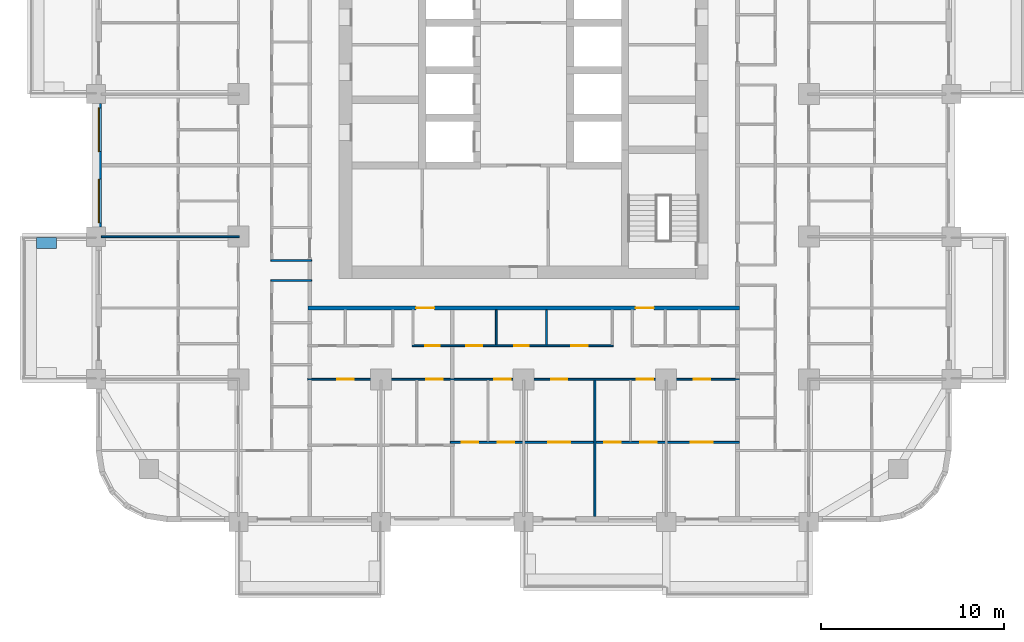
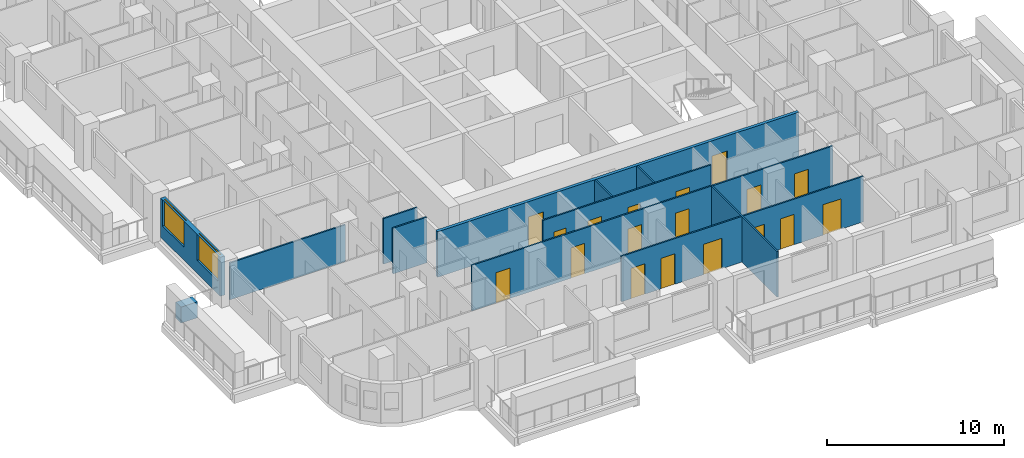
# One storey, part 4 of 18: 18 doors, 12 walls, 2 windows, 20 openings.
"""IFC4 building model written with IfcOpenShell, lengths in metres."""

from ifc_helpers import new_model, si_unit, direction, frame, frame_2d, origin, place, context, subcontext, project, spatial, rectangle, extrude, material, layer, layer_set, type_object, element, fill, save


model = new_model("IFC4")

# Units and contexts
model_context = context("Model", 3, precision=1e-05, world=origin(), true_north=direction((0.0, 1.0)))
body_context = subcontext(model_context, "Body", "Model", "MODEL_VIEW")
ifc_project = project(units=[si_unit("LENGTHUNIT", "METRE"), si_unit("AREAUNIT", "SQUARE_METRE"), si_unit("VOLUMEUNIT", "CUBIC_METRE"), si_unit("PLANEANGLEUNIT", "RADIAN"), si_unit("MASSUNIT", "GRAM", prefix="KILO")], contexts=[model_context])

# Site, building, storey
site_placement = place(None, origin())
site = spatial("IfcSite", under=ifc_project, at=site_placement, CompositionType="ELEMENT")
building_placement = place(site_placement, origin())
building = spatial("IfcBuilding", under=site, at=building_placement, Name="Ludao Terraces", CompositionType="ELEMENT")
storey_placement = place(building_placement, frame((0.0, 0.0, 33.10009765625)))
storey = spatial("IfcBuildingStorey", under=building, at=storey_placement, Name="L08", CompositionType="ELEMENT", Elevation=33.10009765625)

# Wall
ifc_material_1 = material(Name="Concrete C40", Category="concrete")
ifc_layer_1 = layer(ifc_material_1, 0.60009765625)
ifc_layer_set_1 = layer_set([ifc_layer_1], Name="ENV Planter trough 600")
wall_type_1 = type_object("IfcWallType", Name="ENV Planter trough 600", PredefinedType="USERDEFINED", material=ifc_layer_set_1)
wall_1_placement = place(storey_placement, frame((58.35009765625, 56.85009765625, 0.0), z_axis=(0.0, 0.0, 1.0), x_axis=(1.0, 0.0, 0.0)))
element("IfcWall", 1, at=wall_1_placement, inside=storey, type_object=wall_type_1, Name="PL-L08-W1-SB", ObjectType="PLANTER", PredefinedType="USERDEFINED", context=body_context, shape_type="SweptSolid", body=[
    extrude(rectangle(XDim=1.099853515625, YDim=0.60009765625, at=frame_2d((0.5498046875, 0.0))), origin(), (0.0, 0.0, 1.0), 1.099853515625),
])

# Wall, openings, windows
ifc_material_2 = material(Name="Granite cladding", Category="masonry")
ifc_layer_2 = layer(ifc_material_2, 0.0400390625, Category="stone")
ifc_material_3 = material(Name="Mineral wool")
ifc_layer_3 = layer(ifc_material_3, 0.06005859375)
ifc_layer_4 = layer(ifc_material_1, 0.199951171875, Category="concrete")
ifc_layer_set_2 = layer_set([ifc_layer_2, ifc_layer_3, ifc_layer_4], Name="ENV Stone-clad wall 300")
wall_type_2 = type_object("IfcWallType", Name="ENV Stone-clad wall 300", PredefinedType="SOLIDWALL", material=ifc_layer_set_2)
wall_2_placement = place(storey_placement, frame((61.75, 57.72509765625, 0.0), z_axis=(0.0, 0.0, 1.0), x_axis=(0.0, 1.0, 0.0)))
wall_2 = element("IfcWall", 2, at=wall_2_placement, inside=storey, type_object=wall_type_2, Name="EW-L08-W3", PredefinedType="SOLIDWALL", context=body_context, shape_type="SweptSolid", body=[
    extrude(rectangle(XDim=6.75, YDim=0.300048828125, at=frame_2d((3.375, 0.0))), origin(), (0.0, 0.0, 1.0), 2.699951171875),
])
opening_1_placement = place(wall_2_placement, frame((0.22509765625, 0.0, 0.89990234375)))
opening_1 = element("IfcOpeningElement", 3, at=opening_1_placement, cuts=wall_2, Name="Opening W1", PredefinedType="OPENING", context=body_context, shape_type="SweptSolid", body=[
    extrude(rectangle(XDim=2.39990234375, YDim=1.800048828125, at=frame_2d((1.199951171875, 0.89990234375))), frame((0.0, 0.16015625, 0.0), z_axis=(0.0, -1.0, 0.0), x_axis=(1.0, 0.0, 0.0)), (0.0, 0.0, 1.0), 0.320068359375),
])
opening_2_placement = place(wall_2_placement, frame((4.125, 0.0, 0.89990234375)))
opening_2 = element("IfcOpeningElement", 4, at=opening_2_placement, cuts=wall_2, Name="Opening W1", PredefinedType="OPENING", context=body_context, shape_type="SweptSolid", body=[
    extrude(rectangle(XDim=2.39990234375, YDim=1.800048828125, at=frame_2d((1.199951171875, 0.89990234375))), frame((0.0, 0.16015625, 0.0), z_axis=(0.0, -1.0, 0.0), x_axis=(1.0, 0.0, 0.0)), (0.0, 0.0, 1.0), 0.320068359375),
])
ifc_material_4 = material(Name="Clear glass in aluminium frame", Category="aluminium")
ifc_layer_5 = layer(ifc_material_4, 0.06005859375)
ifc_layer_set_3 = layer_set([ifc_layer_5], Name="ENV Window W1 2400x1800")
window_type = type_object("IfcWindowType", Name="ENV Window W1 2400x1800", PartitioningType="DOUBLE_PANEL_VERTICAL", PredefinedType="WINDOW", material=ifc_layer_set_3)
window_1_placement = place(opening_1_placement, origin())
window_1 = element("IfcWindow", 5, at=window_1_placement, inside=storey, type_object=window_type, Name="W-L08-W3-1", OverallHeight=1.800048828125, OverallWidth=2.39990234375, PartitioningType="DOUBLE_PANEL_VERTICAL", PredefinedType="WINDOW", context=body_context, shape_type="SweptSolid", body=[
    extrude(rectangle(XDim=2.39990234375, YDim=1.800048828125, at=frame_2d((1.199951171875, 0.89990234375))), frame((0.0, 0.030029296875, 0.0), z_axis=(0.0, -1.0, 0.0), x_axis=(1.0, 0.0, 0.0)), (0.0, 0.0, 1.0), 0.06005859375),
])
fill(opening_1, window_1)
window_2_placement = place(opening_2_placement, origin())
window_2 = element("IfcWindow", 6, at=window_2_placement, inside=storey, type_object=window_type, Name="W-L08-W3-2", OverallHeight=1.800048828125, OverallWidth=2.39990234375, PartitioningType="DOUBLE_PANEL_VERTICAL", PredefinedType="WINDOW", context=body_context, shape_type="SweptSolid", body=[
    extrude(rectangle(XDim=2.39990234375, YDim=1.800048828125, at=frame_2d((1.199951171875, 0.89990234375))), frame((0.0, 0.030029296875, 0.0), z_axis=(0.0, -1.0, 0.0), x_axis=(1.0, 0.0, 0.0)), (0.0, 0.0, 1.0), 0.06005859375),
])
fill(opening_2, window_2)

# Wall, openings, doors
ifc_material_5 = material(Name="Autoclaved aerated concrete block B06 A3.5", Category="concrete")
ifc_layer_6 = layer(ifc_material_5, 0.199951171875)
ifc_layer_set_4 = layer_set([ifc_layer_6], Name="INT Entrance wall 200")
wall_type_3 = type_object("IfcWallType", Name="INT Entrance wall 200", PredefinedType="PARTITIONING", material=ifc_layer_set_4)
wall_3_placement = place(storey_placement, frame((73.2001953125, 53.300048828125, 0.0), z_axis=(0.0, 0.0, 1.0), x_axis=(1.0, 0.0, 0.0)))
wall_3 = element("IfcWall", 7, at=wall_3_placement, inside=storey, type_object=wall_type_3, Name="PW-L08-PW019", PredefinedType="PARTITIONING", context=body_context, shape_type="SweptSolid", body=[
    extrude(rectangle(XDim=23.599853515625, YDim=0.199951171875, at=frame_2d((11.7998046875, 0.0))), origin(), (0.0, 0.0, 1.0), 3.14990234375),
])
opening_3_placement = place(wall_3_placement, frame((5.9248046875, 0.0, 0.0)))
opening_3 = element("IfcOpeningElement", 8, at=opening_3_placement, cuts=wall_3, Name="Opening R02-047", PredefinedType="OPENING", context=body_context, shape_type="SweptSolid", body=[
    extrude(rectangle(XDim=1.0, YDim=2.10009765625, at=frame_2d((0.5, 1.050048828125))), frame((0.0, 0.10986328125, 0.0), z_axis=(0.0, -1.0, 0.0), x_axis=(1.0, 0.0, 0.0)), (0.0, 0.0, 1.0), 0.219970703125),
])
opening_4_placement = place(wall_3_placement, frame((17.9248046875, 0.0, 0.0)))
opening_4 = element("IfcOpeningElement", 9, at=opening_4_placement, cuts=wall_3, Name="Opening R02-048", PredefinedType="OPENING", context=body_context, shape_type="SweptSolid", body=[
    extrude(rectangle(XDim=1.0, YDim=2.10009765625, at=frame_2d((0.5, 1.050048828125))), frame((0.0, 0.10986328125, 0.0), z_axis=(0.0, -1.0, 0.0), x_axis=(1.0, 0.0, 0.0)), (0.0, 0.0, 1.0), 0.219970703125),
])
ifc_material_6 = material(Name="Steel Q235", Category="steel")
door_type_1 = type_object("IfcDoorType", Name="INT Flat entrance door 1000", OperationType="SINGLE_SWING_LEFT", PredefinedType="DOOR", material=ifc_material_6)
door_1_placement = place(opening_3_placement, origin())
door_1 = element("IfcDoor", 10, at=door_1_placement, inside=storey, type_object=door_type_1, Name="DOOR 047", OperationType="SINGLE_SWING_LEFT", OverallHeight=2.10009765625, OverallWidth=1.0, PredefinedType="DOOR", context=body_context, shape_type="SweptSolid", body=[
    extrude(rectangle(XDim=1.0, YDim=2.10009765625, at=frame_2d((0.5, 1.050048828125))), frame((0.0, 0.02490234375, 0.0), z_axis=(0.0, -1.0, 0.0), x_axis=(1.0, 0.0, 0.0)), (0.0, 0.0, 1.0), 0.050048828125),
])
fill(opening_3, door_1)
door_2_placement = place(opening_4_placement, origin())
door_2 = element("IfcDoor", 11, at=door_2_placement, inside=storey, type_object=door_type_1, Name="DOOR 048", OperationType="SINGLE_SWING_LEFT", OverallHeight=2.10009765625, OverallWidth=1.0, PredefinedType="DOOR", context=body_context, shape_type="SweptSolid", body=[
    extrude(rectangle(XDim=1.0, YDim=2.10009765625, at=frame_2d((0.5, 1.050048828125))), frame((0.0, 0.02490234375, 0.0), z_axis=(0.0, -1.0, 0.0), x_axis=(1.0, 0.0, 0.0)), (0.0, 0.0, 1.0), 0.050048828125),
])
fill(opening_4, door_2)

ifc_material_7 = material(Name="Gypsum plasterboard", Category="gypsum")
ifc_layer_7 = layer(ifc_material_7, 0.012451171875, Category="gypsum")
ifc_layer_8 = layer(ifc_material_3, 0.06005859375, Name="insulation")
ifc_layer_9 = layer(ifc_material_6, 0.014892578125, Name="stud")
ifc_layer_10 = layer(ifc_material_7, 0.012451171875, Category="gypsum")
ifc_layer_set_5 = layer_set([ifc_layer_7, ifc_layer_8, ifc_layer_9, ifc_layer_10], Name="INT Partition 100")
wall_type_4 = type_object("IfcWallType", Name="INT Partition 100", PredefinedType="PARTITIONING", material=ifc_layer_set_5)
wall_4_placement = place(storey_placement, frame((81.0, 45.949951171875, 0.0), z_axis=(0.0, 0.0, 1.0), x_axis=(1.0, 0.0, 0.0)))
wall_4 = element("IfcWall", 12, at=wall_4_placement, inside=storey, type_object=wall_type_4, Name="PW-L08-PW003", PredefinedType="PARTITIONING", context=body_context, shape_type="SweptSolid", body=[
    extrude(rectangle(XDim=15.800048828125, YDim=0.10009765625, at=frame_2d((7.89990234375, 0.0))), origin(), (0.0, 0.0, 1.0), 3.14990234375),
])
opening_5_placement = place(wall_4_placement, frame((0.625, 0.0, 0.0)))
opening_5 = element("IfcOpeningElement", 13, at=opening_5_placement, cuts=wall_4, Name="Opening R02-010", PredefinedType="OPENING", context=body_context, shape_type="SweptSolid", body=[
    extrude(rectangle(XDim=0.89990234375, YDim=2.10009765625, at=frame_2d((0.449951171875, 1.050048828125))), frame((0.0, 0.06005859375, 0.0), z_axis=(0.0, -1.0, 0.0), x_axis=(1.0, 0.0, 0.0)), (0.0, 0.0, 1.0), 0.1201171875),
])
opening_6_placement = place(wall_4_placement, frame((2.5751953125, 0.0, 0.0)))
opening_6 = element("IfcOpeningElement", 14, at=opening_6_placement, cuts=wall_4, Name="Opening R02-011", PredefinedType="OPENING", context=body_context, shape_type="SweptSolid", body=[
    extrude(rectangle(XDim=0.89990234375, YDim=2.10009765625, at=frame_2d((0.449951171875, 1.050048828125))), frame((0.0, 0.06005859375, 0.0), z_axis=(0.0, -1.0, 0.0), x_axis=(1.0, 0.0, 0.0)), (0.0, 0.0, 1.0), 0.1201171875),
])
opening_7_placement = place(wall_4_placement, frame((5.35009765625, 0.0, 0.0)))
opening_7 = element("IfcOpeningElement", 15, at=opening_7_placement, cuts=wall_4, Name="Opening R02-012", PredefinedType="OPENING", context=body_context, shape_type="SweptSolid", body=[
    extrude(rectangle(XDim=1.199951171875, YDim=2.10009765625, at=frame_2d((0.60009765625, 1.050048828125))), frame((0.0, 0.06005859375, 0.0), z_axis=(0.0, -1.0, 0.0), x_axis=(1.0, 0.0, 0.0)), (0.0, 0.0, 1.0), 0.1201171875),
])
opening_8_placement = place(wall_4_placement, frame((8.425048828125, 0.0, 0.0)))
opening_8 = element("IfcOpeningElement", 16, at=opening_8_placement, cuts=wall_4, Name="Opening R02-013", PredefinedType="OPENING", context=body_context, shape_type="SweptSolid", body=[
    extrude(rectangle(XDim=0.89990234375, YDim=2.10009765625, at=frame_2d((0.449951171875, 1.050048828125))), frame((0.0, 0.06005859375, 0.0), z_axis=(0.0, -1.0, 0.0), x_axis=(1.0, 0.0, 0.0)), (0.0, 0.0, 1.0), 0.1201171875),
])
opening_9_placement = place(wall_4_placement, frame((10.375, 0.0, 0.0)))
opening_9 = element("IfcOpeningElement", 17, at=opening_9_placement, cuts=wall_4, Name="Opening R02-014", PredefinedType="OPENING", context=body_context, shape_type="SweptSolid", body=[
    extrude(rectangle(XDim=0.89990234375, YDim=2.10009765625, at=frame_2d((0.449951171875, 1.050048828125))), frame((0.0, 0.06005859375, 0.0), z_axis=(0.0, -1.0, 0.0), x_axis=(1.0, 0.0, 0.0)), (0.0, 0.0, 1.0), 0.1201171875),
])
opening_10_placement = place(wall_4_placement, frame((13.150146484375, 0.0, 0.0)))
opening_10 = element("IfcOpeningElement", 18, at=opening_10_placement, cuts=wall_4, Name="Opening R02-015", PredefinedType="OPENING", context=body_context, shape_type="SweptSolid", body=[
    extrude(rectangle(XDim=1.199951171875, YDim=2.10009765625, at=frame_2d((0.60009765625, 1.050048828125))), frame((0.0, 0.06005859375, 0.0), z_axis=(0.0, -1.0, 0.0), x_axis=(1.0, 0.0, 0.0)), (0.0, 0.0, 1.0), 0.1201171875),
])
ifc_material_8 = material(Name="Timber door leaf", Category="wood")
door_type_2 = type_object("IfcDoorType", Name="INT Bathroom door 900", OperationType="SINGLE_SWING_LEFT", PredefinedType="DOOR", material=ifc_material_8)
door_3_placement = place(opening_5_placement, origin())
door_3 = element("IfcDoor", 19, at=door_3_placement, inside=storey, type_object=door_type_2, Name="DOOR 010", OperationType="SINGLE_SWING_LEFT", OverallHeight=2.10009765625, OverallWidth=0.89990234375, PredefinedType="DOOR", context=body_context, shape_type="SweptSolid", body=[
    extrude(rectangle(XDim=0.89990234375, YDim=2.10009765625, at=frame_2d((0.449951171875, 1.050048828125))), frame((0.0, 0.02490234375, 0.0), z_axis=(0.0, -1.0, 0.0), x_axis=(1.0, 0.0, 0.0)), (0.0, 0.0, 1.0), 0.050048828125),
])
fill(opening_5, door_3)
door_4_placement = place(opening_8_placement, origin())
door_4 = element("IfcDoor", 20, at=door_4_placement, inside=storey, type_object=door_type_2, Name="DOOR 013", OperationType="SINGLE_SWING_LEFT", OverallHeight=2.10009765625, OverallWidth=0.89990234375, PredefinedType="DOOR", context=body_context, shape_type="SweptSolid", body=[
    extrude(rectangle(XDim=0.89990234375, YDim=2.10009765625, at=frame_2d((0.449951171875, 1.050048828125))), frame((0.0, 0.02490234375, 0.0), z_axis=(0.0, -1.0, 0.0), x_axis=(1.0, 0.0, 0.0)), (0.0, 0.0, 1.0), 0.050048828125),
])
fill(opening_8, door_4)
door_type_3 = type_object("IfcDoorType", Name="INT Double door 1200", OperationType="DOUBLE_DOOR_SINGLE_SWING", PredefinedType="DOOR", material=ifc_material_8)
door_5_placement = place(opening_7_placement, origin())
door_5 = element("IfcDoor", 21, at=door_5_placement, inside=storey, type_object=door_type_3, Name="DOOR 012", OperationType="DOUBLE_DOOR_SINGLE_SWING", OverallHeight=2.10009765625, OverallWidth=1.199951171875, PredefinedType="DOOR", context=body_context, shape_type="SweptSolid", body=[
    extrude(rectangle(XDim=1.199951171875, YDim=2.10009765625, at=frame_2d((0.60009765625, 1.050048828125))), frame((0.0, 0.02490234375, 0.0), z_axis=(0.0, -1.0, 0.0), x_axis=(1.0, 0.0, 0.0)), (0.0, 0.0, 1.0), 0.050048828125),
])
fill(opening_7, door_5)
door_6_placement = place(opening_10_placement, origin())
door_6 = element("IfcDoor", 22, at=door_6_placement, inside=storey, type_object=door_type_3, Name="DOOR 015", OperationType="DOUBLE_DOOR_SINGLE_SWING", OverallHeight=2.10009765625, OverallWidth=1.199951171875, PredefinedType="DOOR", context=body_context, shape_type="SweptSolid", body=[
    extrude(rectangle(XDim=1.199951171875, YDim=2.10009765625, at=frame_2d((0.60009765625, 1.050048828125))), frame((0.0, 0.02490234375, 0.0), z_axis=(0.0, -1.0, 0.0), x_axis=(1.0, 0.0, 0.0)), (0.0, 0.0, 1.0), 0.050048828125),
])
fill(opening_10, door_6)
door_type_4 = type_object("IfcDoorType", Name="INT Room door 900", OperationType="SINGLE_SWING_LEFT", PredefinedType="DOOR", material=ifc_material_8)
door_7_placement = place(opening_6_placement, origin())
door_7 = element("IfcDoor", 23, at=door_7_placement, inside=storey, type_object=door_type_4, Name="DOOR 011", OperationType="SINGLE_SWING_LEFT", OverallHeight=2.10009765625, OverallWidth=0.89990234375, PredefinedType="DOOR", context=body_context, shape_type="SweptSolid", body=[
    extrude(rectangle(XDim=0.89990234375, YDim=2.10009765625, at=frame_2d((0.449951171875, 1.050048828125))), frame((0.0, 0.02490234375, 0.0), z_axis=(0.0, -1.0, 0.0), x_axis=(1.0, 0.0, 0.0)), (0.0, 0.0, 1.0), 0.050048828125),
])
fill(opening_6, door_7)
door_8_placement = place(opening_9_placement, origin())
door_8 = element("IfcDoor", 24, at=door_8_placement, inside=storey, type_object=door_type_4, Name="DOOR 014", OperationType="SINGLE_SWING_RIGHT", OverallHeight=2.10009765625, OverallWidth=0.89990234375, PredefinedType="DOOR", context=body_context, shape_type="SweptSolid", body=[
    extrude(rectangle(XDim=0.89990234375, YDim=2.10009765625, at=frame_2d((0.449951171875, 1.050048828125))), frame((0.0, 0.02490234375, 0.0), z_axis=(0.0, -1.0, 0.0), x_axis=(1.0, 0.0, 0.0)), (0.0, 0.0, 1.0), 0.050048828125),
])
fill(opening_9, door_8)

wall_5_placement = place(storey_placement, frame((73.2001953125, 49.39990234375, 0.0), z_axis=(0.0, 0.0, 1.0), x_axis=(1.0, 0.0, 0.0)))
wall_5 = element("IfcWall", 25, at=wall_5_placement, inside=storey, type_object=wall_type_4, Name="PW-L08-PW007", PredefinedType="PARTITIONING", context=body_context, shape_type="SweptSolid", body=[
    extrude(rectangle(XDim=23.599853515625, YDim=0.10009765625, at=frame_2d((11.7998046875, 0.0))), origin(), (0.0, 0.0, 1.0), 3.14990234375),
])
opening_11_placement = place(wall_5_placement, frame((1.599853515625, 0.0, 0.0)))
opening_11 = element("IfcOpeningElement", 26, at=opening_11_placement, cuts=wall_5, Name="Opening R02-024", PredefinedType="OPENING", context=body_context, shape_type="SweptSolid", body=[
    extrude(rectangle(XDim=0.89990234375, YDim=2.10009765625, at=frame_2d((0.449951171875, 1.050048828125))), frame((0.0, 0.06005859375, 0.0), z_axis=(0.0, -1.0, 0.0), x_axis=(1.0, 0.0, 0.0)), (0.0, 0.0, 1.0), 0.1201171875),
])
opening_12_placement = place(wall_5_placement, frame((6.474853515625, 0.0, 0.0)))
opening_12 = element("IfcOpeningElement", 27, at=opening_12_placement, cuts=wall_5, Name="Opening R02-025", PredefinedType="OPENING", context=body_context, shape_type="SweptSolid", body=[
    extrude(rectangle(XDim=0.89990234375, YDim=2.10009765625, at=frame_2d((0.449951171875, 1.050048828125))), frame((0.0, 0.06005859375, 0.0), z_axis=(0.0, -1.0, 0.0), x_axis=(1.0, 0.0, 0.0)), (0.0, 0.0, 1.0), 0.1201171875),
])
opening_13_placement = place(wall_5_placement, frame((10.199951171875, 0.0, 0.0)))
opening_13 = element("IfcOpeningElement", 28, at=opening_13_placement, cuts=wall_5, Name="Opening R02-026", PredefinedType="OPENING", context=body_context, shape_type="SweptSolid", body=[
    extrude(rectangle(XDim=0.89990234375, YDim=2.10009765625, at=frame_2d((0.449951171875, 1.050048828125))), frame((0.0, 0.06005859375, 0.0), z_axis=(0.0, -1.0, 0.0), x_axis=(1.0, 0.0, 0.0)), (0.0, 0.0, 1.0), 0.1201171875),
])
opening_14_placement = place(wall_5_placement, frame((13.2998046875, 0.0, 0.0)))
opening_14 = element("IfcOpeningElement", 29, at=opening_14_placement, cuts=wall_5, Name="Opening R02-027", PredefinedType="OPENING", context=body_context, shape_type="SweptSolid", body=[
    extrude(rectangle(XDim=0.89990234375, YDim=2.10009765625, at=frame_2d((0.449951171875, 1.050048828125))), frame((0.0, 0.06005859375, 0.0), z_axis=(0.0, -1.0, 0.0), x_axis=(1.0, 0.0, 0.0)), (0.0, 0.0, 1.0), 0.1201171875),
])
opening_15_placement = place(wall_5_placement, frame((18.0, 0.0, 0.0)))
opening_15 = element("IfcOpeningElement", 30, at=opening_15_placement, cuts=wall_5, Name="Opening R02-028", PredefinedType="OPENING", context=body_context, shape_type="SweptSolid", body=[
    extrude(rectangle(XDim=0.89990234375, YDim=2.10009765625, at=frame_2d((0.449951171875, 1.050048828125))), frame((0.0, 0.06005859375, 0.0), z_axis=(0.0, -1.0, 0.0), x_axis=(1.0, 0.0, 0.0)), (0.0, 0.0, 1.0), 0.1201171875),
])
opening_16_placement = place(wall_5_placement, frame((21.099853515625, 0.0, 0.0)))
opening_16 = element("IfcOpeningElement", 31, at=opening_16_placement, cuts=wall_5, Name="Opening R02-029", PredefinedType="OPENING", context=body_context, shape_type="SweptSolid", body=[
    extrude(rectangle(XDim=0.89990234375, YDim=2.10009765625, at=frame_2d((0.449951171875, 1.050048828125))), frame((0.0, 0.06005859375, 0.0), z_axis=(0.0, -1.0, 0.0), x_axis=(1.0, 0.0, 0.0)), (0.0, 0.0, 1.0), 0.1201171875),
])
door_9_placement = place(opening_11_placement, origin())
door_9 = element("IfcDoor", 32, at=door_9_placement, inside=storey, type_object=door_type_4, Name="DOOR 024", OperationType="SINGLE_SWING_RIGHT", OverallHeight=2.10009765625, OverallWidth=0.89990234375, PredefinedType="DOOR", context=body_context, shape_type="SweptSolid", body=[
    extrude(rectangle(XDim=0.89990234375, YDim=2.10009765625, at=frame_2d((0.449951171875, 1.050048828125))), frame((0.0, 0.02490234375, 0.0), z_axis=(0.0, -1.0, 0.0), x_axis=(1.0, 0.0, 0.0)), (0.0, 0.0, 1.0), 0.050048828125),
])
fill(opening_11, door_9)
door_10_placement = place(opening_12_placement, origin())
door_10 = element("IfcDoor", 33, at=door_10_placement, inside=storey, type_object=door_type_4, Name="DOOR 025", OperationType="SINGLE_SWING_LEFT", OverallHeight=2.10009765625, OverallWidth=0.89990234375, PredefinedType="DOOR", context=body_context, shape_type="SweptSolid", body=[
    extrude(rectangle(XDim=0.89990234375, YDim=2.10009765625, at=frame_2d((0.449951171875, 1.050048828125))), frame((0.0, 0.02490234375, 0.0), z_axis=(0.0, -1.0, 0.0), x_axis=(1.0, 0.0, 0.0)), (0.0, 0.0, 1.0), 0.050048828125),
])
fill(opening_12, door_10)
door_11_placement = place(opening_13_placement, origin())
door_11 = element("IfcDoor", 34, at=door_11_placement, inside=storey, type_object=door_type_4, Name="DOOR 026", OperationType="SINGLE_SWING_RIGHT", OverallHeight=2.10009765625, OverallWidth=0.89990234375, PredefinedType="DOOR", context=body_context, shape_type="SweptSolid", body=[
    extrude(rectangle(XDim=0.89990234375, YDim=2.10009765625, at=frame_2d((0.449951171875, 1.050048828125))), frame((0.0, 0.02490234375, 0.0), z_axis=(0.0, -1.0, 0.0), x_axis=(1.0, 0.0, 0.0)), (0.0, 0.0, 1.0), 0.050048828125),
])
fill(opening_13, door_11)
door_12_placement = place(opening_14_placement, origin())
door_12 = element("IfcDoor", 35, at=door_12_placement, inside=storey, type_object=door_type_4, Name="DOOR 027", OperationType="SINGLE_SWING_LEFT", OverallHeight=2.10009765625, OverallWidth=0.89990234375, PredefinedType="DOOR", context=body_context, shape_type="SweptSolid", body=[
    extrude(rectangle(XDim=0.89990234375, YDim=2.10009765625, at=frame_2d((0.449951171875, 1.050048828125))), frame((0.0, 0.02490234375, 0.0), z_axis=(0.0, -1.0, 0.0), x_axis=(1.0, 0.0, 0.0)), (0.0, 0.0, 1.0), 0.050048828125),
])
fill(opening_14, door_12)
door_13_placement = place(opening_15_placement, origin())
door_13 = element("IfcDoor", 36, at=door_13_placement, inside=storey, type_object=door_type_4, Name="DOOR 028", OperationType="SINGLE_SWING_RIGHT", OverallHeight=2.10009765625, OverallWidth=0.89990234375, PredefinedType="DOOR", context=body_context, shape_type="SweptSolid", body=[
    extrude(rectangle(XDim=0.89990234375, YDim=2.10009765625, at=frame_2d((0.449951171875, 1.050048828125))), frame((0.0, 0.02490234375, 0.0), z_axis=(0.0, -1.0, 0.0), x_axis=(1.0, 0.0, 0.0)), (0.0, 0.0, 1.0), 0.050048828125),
])
fill(opening_15, door_13)
door_14_placement = place(opening_16_placement, origin())
door_14 = element("IfcDoor", 37, at=door_14_placement, inside=storey, type_object=door_type_4, Name="DOOR 029", OperationType="SINGLE_SWING_RIGHT", OverallHeight=2.10009765625, OverallWidth=0.89990234375, PredefinedType="DOOR", context=body_context, shape_type="SweptSolid", body=[
    extrude(rectangle(XDim=0.89990234375, YDim=2.10009765625, at=frame_2d((0.449951171875, 1.050048828125))), frame((0.0, 0.02490234375, 0.0), z_axis=(0.0, -1.0, 0.0), x_axis=(1.0, 0.0, 0.0)), (0.0, 0.0, 1.0), 0.050048828125),
])
fill(opening_16, door_14)

wall_6_placement = place(storey_placement, frame((78.900146484375, 51.22998046875, 0.0), z_axis=(0.0, 0.0, 1.0), x_axis=(1.0, 0.0, 0.0)))
wall_6 = element("IfcWall", 38, at=wall_6_placement, inside=storey, type_object=wall_type_4, Name="PW-L08-PW012", PredefinedType="PARTITIONING", context=body_context, shape_type="SweptSolid", body=[
    extrude(rectangle(XDim=11.0, YDim=0.10009765625, at=frame_2d((5.5, 0.0))), origin(), (0.0, 0.0, 1.0), 3.14990234375),
])
opening_17_placement = place(wall_6_placement, frame((0.72509765625, 0.0, 0.0)))
opening_17 = element("IfcOpeningElement", 39, at=opening_17_placement, cuts=wall_6, Name="Opening R02-035", PredefinedType="OPENING", context=body_context, shape_type="SweptSolid", body=[
    extrude(rectangle(XDim=0.800048828125, YDim=2.10009765625, at=frame_2d((0.39990234375, 1.050048828125))), frame((0.0, 0.06005859375, 0.0), z_axis=(0.0, -1.0, 0.0), x_axis=(1.0, 0.0, 0.0)), (0.0, 0.0, 1.0), 0.1201171875),
])
opening_18_placement = place(wall_6_placement, frame((2.949951171875, 0.0, 0.0)))
opening_18 = element("IfcOpeningElement", 40, at=opening_18_placement, cuts=wall_6, Name="Opening R02-036", PredefinedType="OPENING", context=body_context, shape_type="SweptSolid", body=[
    extrude(rectangle(XDim=0.89990234375, YDim=2.10009765625, at=frame_2d((0.449951171875, 1.050048828125))), frame((0.0, 0.06005859375, 0.0), z_axis=(0.0, -1.0, 0.0), x_axis=(1.0, 0.0, 0.0)), (0.0, 0.0, 1.0), 0.1201171875),
])
opening_19_placement = place(wall_6_placement, frame((5.574951171875, 0.0, 0.0)))
opening_19 = element("IfcOpeningElement", 41, at=opening_19_placement, cuts=wall_6, Name="Opening R02-037", PredefinedType="OPENING", context=body_context, shape_type="SweptSolid", body=[
    extrude(rectangle(XDim=0.800048828125, YDim=2.10009765625, at=frame_2d((0.39990234375, 1.050048828125))), frame((0.0, 0.06005859375, 0.0), z_axis=(0.0, -1.0, 0.0), x_axis=(1.0, 0.0, 0.0)), (0.0, 0.0, 1.0), 0.1201171875),
])
opening_20_placement = place(wall_6_placement, frame((8.699951171875, 0.0, 0.0)))
opening_20 = element("IfcOpeningElement", 42, at=opening_20_placement, cuts=wall_6, Name="Opening R02-038", PredefinedType="OPENING", context=body_context, shape_type="SweptSolid", body=[
    extrude(rectangle(XDim=0.89990234375, YDim=2.10009765625, at=frame_2d((0.449951171875, 1.050048828125))), frame((0.0, 0.06005859375, 0.0), z_axis=(0.0, -1.0, 0.0), x_axis=(1.0, 0.0, 0.0)), (0.0, 0.0, 1.0), 0.1201171875),
])
door_15_placement = place(opening_18_placement, origin())
door_15 = element("IfcDoor", 43, at=door_15_placement, inside=storey, type_object=door_type_2, Name="DOOR 036", OperationType="SINGLE_SWING_LEFT", OverallHeight=2.10009765625, OverallWidth=0.89990234375, PredefinedType="DOOR", context=body_context, shape_type="SweptSolid", body=[
    extrude(rectangle(XDim=0.89990234375, YDim=2.10009765625, at=frame_2d((0.449951171875, 1.050048828125))), frame((0.0, 0.02490234375, 0.0), z_axis=(0.0, -1.0, 0.0), x_axis=(1.0, 0.0, 0.0)), (0.0, 0.0, 1.0), 0.050048828125),
])
fill(opening_18, door_15)
door_16_placement = place(opening_20_placement, origin())
door_16 = element("IfcDoor", 44, at=door_16_placement, inside=storey, type_object=door_type_4, Name="DOOR 038", OperationType="SINGLE_SWING_RIGHT", OverallHeight=2.10009765625, OverallWidth=0.89990234375, PredefinedType="DOOR", context=body_context, shape_type="SweptSolid", body=[
    extrude(rectangle(XDim=0.89990234375, YDim=2.10009765625, at=frame_2d((0.449951171875, 1.050048828125))), frame((0.0, 0.02490234375, 0.0), z_axis=(0.0, -1.0, 0.0), x_axis=(1.0, 0.0, 0.0)), (0.0, 0.0, 1.0), 0.050048828125),
])
fill(opening_20, door_16)
door_type_5 = type_object("IfcDoorType", Name="INT Store door 800", OperationType="SINGLE_SWING_LEFT", PredefinedType="DOOR", material=ifc_material_8)
door_17_placement = place(opening_17_placement, origin())
door_17 = element("IfcDoor", 45, at=door_17_placement, inside=storey, type_object=door_type_5, Name="DOOR 035", OperationType="SINGLE_SWING_RIGHT", OverallHeight=2.10009765625, OverallWidth=0.800048828125, PredefinedType="DOOR", context=body_context, shape_type="SweptSolid", body=[
    extrude(rectangle(XDim=0.800048828125, YDim=2.10009765625, at=frame_2d((0.39990234375, 1.050048828125))), frame((0.0, 0.02490234375, 0.0), z_axis=(0.0, -1.0, 0.0), x_axis=(1.0, 0.0, 0.0)), (0.0, 0.0, 1.0), 0.050048828125),
])
fill(opening_17, door_17)
door_18_placement = place(opening_19_placement, origin())
door_18 = element("IfcDoor", 46, at=door_18_placement, inside=storey, type_object=door_type_5, Name="DOOR 037", OperationType="SINGLE_SWING_LEFT", OverallHeight=2.10009765625, OverallWidth=0.800048828125, PredefinedType="DOOR", context=body_context, shape_type="SweptSolid", body=[
    extrude(rectangle(XDim=0.800048828125, YDim=2.10009765625, at=frame_2d((0.39990234375, 1.050048828125))), frame((0.0, 0.02490234375, 0.0), z_axis=(0.0, -1.0, 0.0), x_axis=(1.0, 0.0, 0.0)), (0.0, 0.0, 1.0), 0.050048828125),
])
fill(opening_19, door_18)

# Walls
for number, where, z_axis, x_axis, name in (
    (47, (71.18017578125, 54.800048828125, 0.0), (0.0, 0.0, 1.0), (1.0, 0.0, 0.0), "PW-L08-PW022"),
    (48, (71.18017578125, 55.89990234375, 0.0), (0.0, 0.0, 1.0), (1.0, 0.0, 0.0), "PW-L08-PW024"),
):
    element("IfcWall", number, at=place(storey_placement, frame(where, z_axis=z_axis, x_axis=x_axis)), inside=storey, type_object=wall_type_4, Name=name, PredefinedType="PARTITIONING", context=body_context, shape_type="SweptSolid", body=[
        extrude(rectangle(XDim=2.219970703125, YDim=0.10009765625, at=frame_2d((1.10986328125, 0.0))), origin(), (0.0, 0.0, 1.0), 3.14990234375),
    ])
wall_7_placement = place(storey_placement, frame((61.900146484375, 57.199951171875, 0.0), z_axis=(0.0, 0.0, 1.0), x_axis=(1.0, 0.0, 0.0)))
element("IfcWall", 49, at=wall_7_placement, inside=storey, type_object=wall_type_4, Name="PW-L08-PW025", PredefinedType="PARTITIONING", context=body_context, shape_type="SweptSolid", body=[
    extrude(rectangle(XDim=7.550048828125, YDim=0.10009765625, at=frame_2d((3.77490234375, 0.0))), origin(), (0.0, 0.0, 1.0), 2.5498046875),
])
for number, where, z_axis, x_axis, name in (
    (50, (83.5, 51.280029296875, 0.0), (0.0, 0.0, 1.0), (0.0, 1.0, 0.0), "PW-L08-PW101"),
    (51, (86.25, 51.280029296875, 0.0), (0.0, 0.0, 1.0), (0.0, 1.0, 0.0), "PW-L08-PW104"),
):
    element("IfcWall", number, at=place(storey_placement, frame(where, z_axis=z_axis, x_axis=x_axis)), inside=storey, type_object=wall_type_4, Name=name, PredefinedType="PARTITIONING", context=body_context, shape_type="SweptSolid", body=[
        extrude(rectangle(XDim=1.920166015625, YDim=0.10009765625, at=frame_2d((0.9599609375, 0.0))), origin(), (0.0, 0.0, 1.0), 3.14990234375),
    ])
wall_8_placement = place(storey_placement, frame((88.89990234375, 41.900146484375, 0.0), z_axis=(0.0, 0.0, 1.0), x_axis=(0.0, 1.0, 0.0)))
element("IfcWall", 52, at=wall_8_placement, inside=storey, type_object=wall_type_4, Name="PW-L08-PW106", PredefinedType="PARTITIONING", context=body_context, shape_type="SweptSolid", body=[
    extrude(rectangle(XDim=7.449951171875, YDim=0.10009765625, at=frame_2d((3.72509765625, 0.0))), origin(), (0.0, 0.0, 1.0), 3.14990234375),
])

save(model, "model.ifc")
